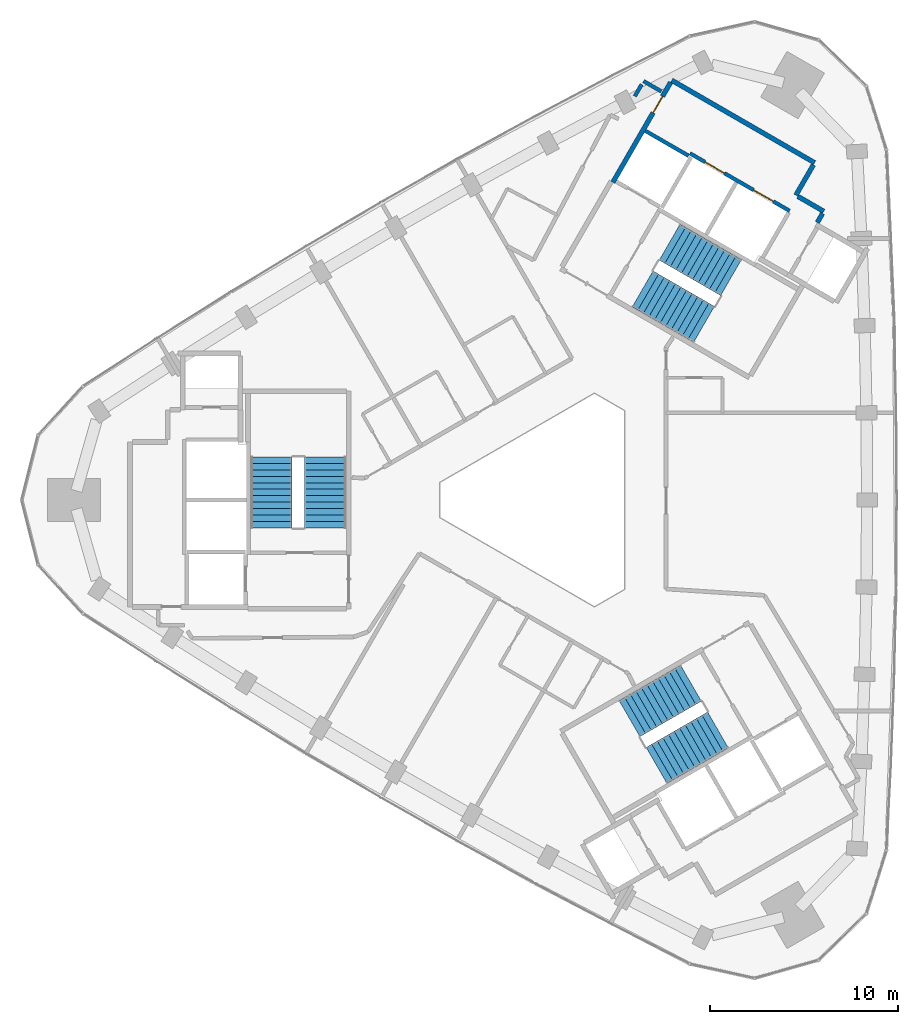
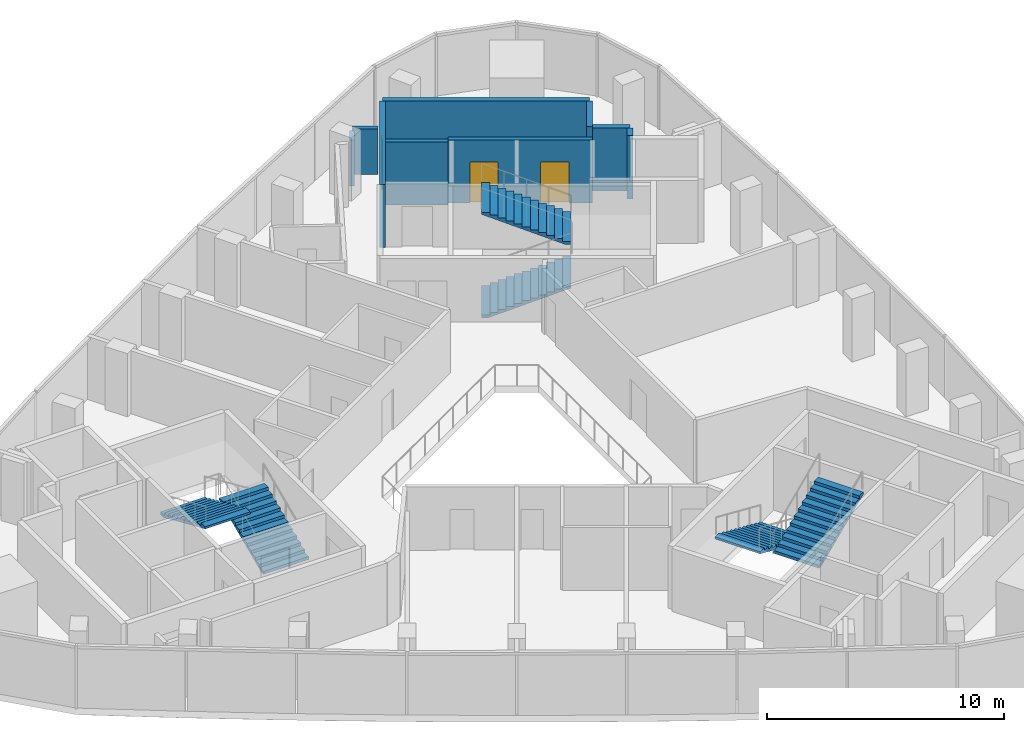
# One storey, part 10 of 11: 9 walls, 6 stair flights, 3 doors, 3 openings, 3 elements without a shape of their own.
"""IFC4 building model written with IfcOpenShell, lengths in metres."""

from ifc_helpers import new_model, si_unit, direction, frame, frame_2d, origin, place, context, subcontext, project, spatial, polyline, rectangle, outline, extrude, material, layer, layer_set, type_object, element, fill, aggregate, save


model = new_model("IFC4")

# Units and contexts
model_context = context("Model", 3, precision=1e-05, world=origin(), true_north=direction((0.0, 1.0)))
body_context = subcontext(model_context, "Body", "Model", "MODEL_VIEW")
ifc_project = project(units=[si_unit("LENGTHUNIT", "METRE"), si_unit("AREAUNIT", "SQUARE_METRE"), si_unit("VOLUMEUNIT", "CUBIC_METRE"), si_unit("PLANEANGLEUNIT", "RADIAN"), si_unit("MASSUNIT", "GRAM", prefix="KILO")], contexts=[model_context])

# Site, building, storey
site_placement = place(None, origin())
site = spatial("IfcSite", under=ifc_project, at=site_placement, CompositionType="ELEMENT")
building_placement = place(site_placement, origin())
building = spatial("IfcBuilding", under=site, at=building_placement, Name="Tamra Quay Hotel Tower", CompositionType="ELEMENT")
storey_placement = place(building_placement, frame((0.0, 0.0, 225.0)))
storey = spatial("IfcBuildingStorey", under=building, at=storey_placement, Name="L56", CompositionType="ELEMENT", Elevation=225.0)

# Wall, openings, doors
ifc_material_1 = material(Name="Concrete M70", Category="concrete")
ifc_layer_1 = layer(ifc_material_1, 0.199951171875)
ifc_layer_set_1 = layer_set([ifc_layer_1], Name="Concrete M70 core wall 200")
wall_type_1 = type_object("IfcWallType", Name="Concrete M70 core wall 200", PredefinedType="SHEAR", material=ifc_layer_set_1)
wall_1_placement = place(storey_placement, frame((12.552490234375, 15.341552734375, 0.0), z_axis=(0.0, 0.0, 1.0), x_axis=(-0.866030299012, 0.499991521122, 0.0)))
wall_1 = element("IfcWall", 1, at=wall_1_placement, inside=storey, type_object=wall_type_1, Name="CW2", PredefinedType="SHEAR", context=body_context, shape_type="SweptSolid", body=[
    extrude(rectangle(XDim=6.10009765625, YDim=0.199951171875, at=frame_2d((3.050048828125, 0.0))), origin(), (0.0, 0.0, 1.0), 3.25),
])
opening_1_placement = place(wall_1_placement, frame((1.0, 0.0, 0.0)))
opening_1 = element("IfcOpeningElement", 2, at=opening_1_placement, cuts=wall_1, Name="Opening LD", PredefinedType="OPENING", context=body_context, shape_type="SweptSolid", body=[
    extrude(rectangle(XDim=1.199951171875, YDim=2.10009765625, at=frame_2d((0.60009765625, 1.050048828125))), frame((0.0, 0.10986328125, 0.0), z_axis=(0.0, -1.0, 0.0), x_axis=(1.0, 0.0, 0.0)), (0.0, 0.0, 1.0), 0.219970703125),
])
opening_2_placement = place(wall_1_placement, frame((3.982177734375, 0.0, 0.0)))
opening_2 = element("IfcOpeningElement", 3, at=opening_2_placement, cuts=wall_1, Name="Opening LD", PredefinedType="OPENING", context=body_context, shape_type="SweptSolid", body=[
    extrude(rectangle(XDim=1.199951171875, YDim=2.10009765625, at=frame_2d((0.60009765625, 1.050048828125))), frame((0.0, 0.10986328125, 0.0), z_axis=(0.0, -1.0, 0.0), x_axis=(1.0, 0.0, 0.0)), (0.0, 0.0, 1.0), 0.219970703125),
])
ifc_material_2 = material(Name="Landing door LD 1200 double door sliding")
door_type_1 = type_object("IfcDoorType", Name="Landing door LD 1200 double door sliding", OperationType="DOUBLE_DOOR_SLIDING", PredefinedType="DOOR", material=ifc_material_2)
door_1_placement = place(opening_1_placement, origin())
door_1 = element("IfcDoor", 4, at=door_1_placement, inside=storey, type_object=door_type_1, Name="LD", OperationType="DOUBLE_DOOR_SLIDING", OverallHeight=2.10009765625, OverallWidth=1.199951171875, PredefinedType="DOOR", context=body_context, shape_type="SweptSolid", body=[
    extrude(rectangle(XDim=1.199951171875, YDim=2.10009765625, at=frame_2d((0.60009765625, 1.050048828125))), frame((0.0, 0.02490234375, 0.0), z_axis=(0.0, -1.0, 0.0), x_axis=(1.0, 0.0, 0.0)), (0.0, 0.0, 1.0), 0.050048828125),
])
fill(opening_1, door_1)
door_2_placement = place(opening_2_placement, origin())
door_2 = element("IfcDoor", 5, at=door_2_placement, inside=storey, type_object=door_type_1, Name="LD", OperationType="DOUBLE_DOOR_SLIDING", OverallHeight=2.10009765625, OverallWidth=1.199951171875, PredefinedType="DOOR", context=body_context, shape_type="SweptSolid", body=[
    extrude(rectangle(XDim=1.199951171875, YDim=2.10009765625, at=frame_2d((0.60009765625, 1.050048828125))), frame((0.0, 0.02490234375, 0.0), z_axis=(0.0, -1.0, 0.0), x_axis=(1.0, 0.0, 0.0)), (0.0, 0.0, 1.0), 0.050048828125),
])
fill(opening_2, door_2)

# Walls
wall_2_placement = place(storey_placement, frame((7.1962890625, 18.260498046875, 0.0), z_axis=(0.0, 0.0, 1.0), x_axis=(-0.866018407898, 0.500012117035, 0.0)))
element("IfcWall", 6, at=wall_2_placement, inside=storey, type_object=wall_type_1, Name="CW2", PredefinedType="SHEAR", context=body_context, shape_type="SweptSolid", body=[
    extrude(rectangle(XDim=2.65087890625, YDim=0.199951171875, at=frame_2d((1.325439453125, 0.0))), origin(), (0.0, 0.0, 1.0), 3.25),
])
ifc_layer_2 = layer(ifc_material_1, 0.25)
ifc_layer_set_2 = layer_set([ifc_layer_2], Name="Concrete M70 core wall 250")
wall_type_2 = type_object("IfcWallType", Name="Concrete M70 core wall 250", PredefinedType="SHEAR", material=ifc_layer_set_2)
wall_3_placement = place(storey_placement, frame((6.303955078125, 22.268798828125, 0.0), z_axis=(0.0, 0.0, 1.0), x_axis=(0.866022959057, -0.500004234368, 0.0)))
element("IfcWall", 7, at=wall_3_placement, inside=storey, type_object=wall_type_2, Name="CW1", PredefinedType="SHEAR", context=body_context, shape_type="SweptSolid", body=[
    extrude(rectangle(XDim=8.75, YDim=0.25, at=frame_2d((4.375, 0.0))), origin(), (0.0, 0.0, 1.0), 3.25),
])

# Wall, opening, door
wall_4_placement = place(storey_placement, frame((3.178955078125, 16.856201171875, 0.0), z_axis=(0.0, 0.0, 1.0), x_axis=(0.500001955336, 0.866024274868, 0.0)))
wall_4 = element("IfcWall", 8, at=wall_4_placement, inside=storey, type_object=wall_type_2, Name="CW1", PredefinedType="SHEAR", context=body_context, shape_type="SweptSolid", body=[
    extrude(rectangle(XDim=6.12451171875, YDim=0.25, at=frame_2d((3.062255859375, 0.0))), origin(), (0.0, 0.0, 1.0), 3.25),
])
opening_3_placement = place(wall_4_placement, frame((4.2626953125, 0.0, 0.0)))
opening_3 = element("IfcOpeningElement", 9, at=opening_3_placement, cuts=wall_4, Name="Opening FD3", PredefinedType="OPENING", context=body_context, shape_type="SweptSolid", body=[
    extrude(rectangle(XDim=1.0, YDim=2.10009765625, at=frame_2d((0.5, 1.050048828125))), frame((0.0, 0.135009765625, 0.0), z_axis=(0.0, -1.0, 0.0), x_axis=(1.0, 0.0, 0.0)), (0.0, 0.0, 1.0), 0.27001953125),
])
ifc_material_3 = material(Name="Core door FD3 1000x2100 LH")
door_type_2 = type_object("IfcDoorType", Name="Core door FD3 1000x2100 LH", OperationType="NOTDEFINED", PredefinedType="DOOR", material=ifc_material_3)
door_3_placement = place(opening_3_placement, origin())
door_3 = element("IfcDoor", 10, at=door_3_placement, inside=storey, type_object=door_type_2, Name="FD3", OperationType="SINGLE_SWING_LEFT", OverallHeight=2.10009765625, OverallWidth=1.0, PredefinedType="DOOR", context=body_context, shape_type="SweptSolid", body=[
    extrude(rectangle(XDim=1.0, YDim=2.10009765625, at=frame_2d((0.5, 1.050048828125))), frame((0.0, 0.02490234375, 0.0), z_axis=(0.0, -1.0, 0.0), x_axis=(1.0, 0.0, 0.0)), (0.0, 0.0, 1.0), 0.050048828125),
])
fill(opening_3, door_3)

# Walls
wall_5_placement = place(storey_placement, frame((13.819091796875, 17.78515625, 0.0), z_axis=(0.0, 0.0, 1.0), x_axis=(-0.500039802285, -0.866002422705, 0.0)))
element("IfcWall", 11, at=wall_5_placement, inside=storey, type_object=wall_type_2, Name="CW1", PredefinedType="SHEAR", context=body_context, shape_type="SweptSolid", body=[
    extrude(rectangle(XDim=1.864501953125, YDim=0.25, at=frame_2d((0.93212890625, 0.0))), origin(), (0.0, 0.0, 1.0), 3.25),
])
wall_6_placement = place(storey_placement, frame((12.995361328125, 16.107666015625, 0.0), z_axis=(0.0, 0.0, 1.0), x_axis=(0.866044474677, -0.49996696679, 0.0)))
element("IfcWall", 12, at=wall_6_placement, inside=storey, type_object=wall_type_2, Name="CW1", PredefinedType="SHEAR", context=body_context, shape_type="SweptSolid", body=[
    extrude(rectangle(XDim=1.58447265625, YDim=0.25, at=frame_2d((0.792236328125, 0.0))), origin(), (0.0, 0.0, 1.0), 3.25),
])
wall_7_placement = place(storey_placement, frame((14.304931640625, 15.206787109375, 0.0), z_axis=(0.0, 0.0, 1.0), x_axis=(-0.499848422343, -0.866112899501, 0.0)))
element("IfcWall", 13, at=wall_7_placement, inside=storey, type_object=wall_type_2, Name="CW1", PredefinedType="SHEAR", context=body_context, shape_type="SweptSolid", body=[
    extrude(rectangle(XDim=0.559326171875, YDim=0.25, at=frame_2d((0.27978515625, 0.0))), origin(), (0.0, 0.0, 1.0), 3.25),
])
ifc_material_4 = material(Name="Partition corridor wall")
ifc_layer_3 = layer(ifc_material_4, 0.199951171875)
ifc_layer_set_3 = layer_set([ifc_layer_3], Name="Partition corridor wall")
wall_type_3 = type_object("IfcWallType", Name="Partition corridor wall", PredefinedType="PARTITIONING", material=ifc_layer_set_3)
wall_8_placement = place(storey_placement, frame((4.342041015625, 21.4208984375, 0.0), z_axis=(0.0, 0.0, 1.0), x_axis=(0.500238258503, 0.865887801468, 0.0)))
element("IfcWall", 14, at=wall_8_placement, inside=storey, type_object=wall_type_3, Name="W-C", PredefinedType="PARTITIONING", context=body_context, shape_type="SweptSolid", body=[
    extrude(rectangle(XDim=0.723876953125, YDim=0.199951171875, at=frame_2d((0.36181640625, 0.0))), origin(), (0.0, 0.0, 1.0), 2.35009765625),
])
wall_9_placement = place(storey_placement, frame((4.805908203125, 22.22412109375, 0.0), z_axis=(0.0, 0.0, 1.0), x_axis=(0.866334698307, -0.499463903109, 0.0)))
element("IfcWall", 15, at=wall_9_placement, inside=storey, type_object=wall_type_3, Name="W-C", PredefinedType="PARTITIONING", context=body_context, shape_type="SweptSolid", body=[
    extrude(rectangle(XDim=1.090087890625, YDim=0.199951171875, at=frame_2d((0.544921875, 0.0))), origin(), (0.0, 0.0, 1.0), 2.35009765625),
])

# Stair, stair flights
ifc_material_5 = material(Name="Exit stair 2200 24 risers 150.0 going 342")
stair_type = type_object("IfcStairType", Name="Exit stair 2200 24 risers 150.0 going 342", PredefinedType="HALF_TURN_STAIR", material=ifc_material_5)
stair_1_placement = place(storey_placement, origin())
stair_1 = element("IfcStair", 16, at=stair_1_placement, inside=storey, type_object=stair_type, Name="L56 Exit stair ST3", PredefinedType="HALF_TURN_STAIR")
ifc_material_6 = material(Name="Exit stair flight 2200 12 risers 150.0")
stair_flight_type = type_object("IfcStairFlightType", Name="Exit stair flight 2200 12 risers 150.0", PredefinedType="STRAIGHT", material=ifc_material_6)
stair_flight_1_placement = place(storey_placement, frame((-12.082275390625, -1.47998046875, 0.0), z_axis=(0.0, 0.0, 1.0), x_axis=(0.0, 1.0, 0.0)))
stair_flight_1 = element("IfcStairFlight", 17, at=stair_flight_1_placement, type_object=stair_flight_type, Name="ST3 flight 1", NumberOfRisers=12, NumberOfTreads=11, PredefinedType="STRAIGHT", RiserHeight=0.15, TreadLength=0.342, context=body_context, shape_type="SweptSolid", body=[
    extrude(outline(polyline([(0.0, 0.0), (0.0, 0.14990234375), (0.342041015625, 0.14990234375), (0.342041015625, 0.300048828125), (0.68408203125, 0.300048828125), (0.68408203125, 0.449951171875), (1.02587890625, 0.449951171875), (1.02587890625, 0.60009765625), (1.367919921875, 0.60009765625), (1.367919921875, 0.75), (1.7099609375, 0.75), (1.7099609375, 0.89990234375), (2.052001953125, 0.89990234375), (2.052001953125, 1.050048828125), (2.39404296875, 1.050048828125), (2.39404296875, 1.199951171875), (2.736083984375, 1.199951171875), (2.736083984375, 1.35009765625), (3.077880859375, 1.35009765625), (3.077880859375, 1.5), (3.419921875, 1.5), (3.419921875, 1.64990234375), (3.761962890625, 1.64990234375), (3.761962890625, 1.800048828125), (3.761962890625, 1.540771484375), (0.249267578125, 0.0), (0.0, 0.0)])), frame((0.0, 1.10009765625, 0.0), z_axis=(0.0, -1.0, 0.0), x_axis=(1.0, 0.0, 0.0)), (0.0, 0.0, 1.0), 2.199951171875),
])
stair_flight_2_placement = place(storey_placement, frame((-14.94140625, 2.281982421875, 1.800048828125), z_axis=(0.0, 0.0, 1.0), x_axis=(0.0, -1.0, 0.0)))
stair_flight_2 = element("IfcStairFlight", 18, at=stair_flight_2_placement, type_object=stair_flight_type, Name="ST3 flight 2", NumberOfRisers=12, NumberOfTreads=11, PredefinedType="STRAIGHT", RiserHeight=0.15, TreadLength=0.342, context=body_context, shape_type="SweptSolid", body=[
    extrude(outline(polyline([(0.0, 0.0), (0.0, 0.14990234375), (0.342041015625, 0.14990234375), (0.342041015625, 0.300048828125), (0.68408203125, 0.300048828125), (0.68408203125, 0.449951171875), (1.02587890625, 0.449951171875), (1.02587890625, 0.60009765625), (1.367919921875, 0.60009765625), (1.367919921875, 0.75), (1.7099609375, 0.75), (1.7099609375, 0.89990234375), (2.052001953125, 0.89990234375), (2.052001953125, 1.050048828125), (2.39404296875, 1.050048828125), (2.39404296875, 1.199951171875), (2.736083984375, 1.199951171875), (2.736083984375, 1.35009765625), (3.077880859375, 1.35009765625), (3.077880859375, 1.5), (3.419921875, 1.5), (3.419921875, 1.64990234375), (3.761962890625, 1.64990234375), (3.761962890625, 1.800048828125), (3.761962890625, 1.540771484375), (0.249267578125, 0.0), (0.0, 0.0)])), frame((0.0, 1.10009765625, 0.0), z_axis=(0.0, -1.0, 0.0), x_axis=(1.0, 0.0, 0.0)), (0.0, 0.0, 1.0), 2.199951171875),
])
aggregate(stair_1, [stair_flight_1, stair_flight_2])

stair_2_placement = place(storey_placement, origin())
stair_2 = element("IfcStair", 19, at=stair_2_placement, inside=storey, type_object=stair_type, Name="L56 Exit stair ST1", PredefinedType="HALF_TURN_STAIR")
stair_flight_3_placement = place(storey_placement, frame((4.75927734375, 11.20361328125, 0.0), z_axis=(0.0, 0.0, 1.0), x_axis=(0.866025403784, -0.5, 0.0)))
stair_flight_3 = element("IfcStairFlight", 20, at=stair_flight_3_placement, type_object=stair_flight_type, Name="ST1 flight 1", NumberOfRisers=12, NumberOfTreads=11, PredefinedType="STRAIGHT", RiserHeight=0.15, TreadLength=0.342, context=body_context, shape_type="SweptSolid", body=[
    extrude(outline(polyline([(0.0, 0.0), (0.0, 0.14990234375), (0.342041015625, 0.14990234375), (0.342041015625, 0.300048828125), (0.68408203125, 0.300048828125), (0.68408203125, 0.449951171875), (1.02587890625, 0.449951171875), (1.02587890625, 0.60009765625), (1.367919921875, 0.60009765625), (1.367919921875, 0.75), (1.7099609375, 0.75), (1.7099609375, 0.89990234375), (2.052001953125, 0.89990234375), (2.052001953125, 1.050048828125), (2.39404296875, 1.050048828125), (2.39404296875, 1.199951171875), (2.736083984375, 1.199951171875), (2.736083984375, 1.35009765625), (3.077880859375, 1.35009765625), (3.077880859375, 1.5), (3.419921875, 1.5), (3.419921875, 1.64990234375), (3.761962890625, 1.64990234375), (3.761962890625, 1.800048828125), (3.761962890625, 1.540771484375), (0.249267578125, 0.0), (0.0, 0.0)])), frame((0.0, 1.10009765625, 0.0), z_axis=(0.0, -1.0, 0.0), x_axis=(1.0, 0.0, 0.0)), (0.0, 0.0, 1.0), 2.199951171875),
])
stair_flight_4_placement = place(storey_placement, frame((9.44677734375, 11.798583984375, 1.800048828125), z_axis=(0.0, 0.0, 1.0), x_axis=(-0.866025403784, 0.5, 0.0)))
stair_flight_4 = element("IfcStairFlight", 21, at=stair_flight_4_placement, type_object=stair_flight_type, Name="ST1 flight 2", NumberOfRisers=12, NumberOfTreads=11, PredefinedType="STRAIGHT", RiserHeight=0.15, TreadLength=0.342, context=body_context, shape_type="SweptSolid", body=[
    extrude(outline(polyline([(0.0, 0.0), (0.0, 0.14990234375), (0.342041015625, 0.14990234375), (0.342041015625, 0.300048828125), (0.68408203125, 0.300048828125), (0.68408203125, 0.449951171875), (1.02587890625, 0.449951171875), (1.02587890625, 0.60009765625), (1.367919921875, 0.60009765625), (1.367919921875, 0.75), (1.7099609375, 0.75), (1.7099609375, 0.89990234375), (2.052001953125, 0.89990234375), (2.052001953125, 1.050048828125), (2.39404296875, 1.050048828125), (2.39404296875, 1.199951171875), (2.736083984375, 1.199951171875), (2.736083984375, 1.35009765625), (3.077880859375, 1.35009765625), (3.077880859375, 1.5), (3.419921875, 1.5), (3.419921875, 1.64990234375), (3.761962890625, 1.64990234375), (3.761962890625, 1.800048828125), (3.761962890625, 1.540771484375), (0.249267578125, 0.0), (0.0, 0.0)])), frame((0.0, 1.10009765625, 0.0), z_axis=(0.0, -1.0, 0.0), x_axis=(1.0, 0.0, 0.0)), (0.0, 0.0, 1.0), 2.199951171875),
])
aggregate(stair_2, [stair_flight_3, stair_flight_4])

stair_3_placement = place(storey_placement, origin())
stair_3 = element("IfcStair", 22, at=stair_3_placement, inside=storey, type_object=stair_type, Name="L56 Exit stair ST2", PredefinedType="HALF_TURN_STAIR")
stair_flight_5_placement = place(storey_placement, frame((7.322998046875, -9.7236328125, 0.0), z_axis=(0.0, 0.0, 1.0), x_axis=(-0.866025403784, -0.5, 0.0)))
stair_flight_5 = element("IfcStairFlight", 23, at=stair_flight_5_placement, type_object=stair_flight_type, Name="ST2 flight 1", NumberOfRisers=12, NumberOfTreads=11, PredefinedType="STRAIGHT", RiserHeight=0.15, TreadLength=0.342, context=body_context, shape_type="SweptSolid", body=[
    extrude(outline(polyline([(0.0, 0.0), (0.0, 0.14990234375), (0.342041015625, 0.14990234375), (0.342041015625, 0.300048828125), (0.68408203125, 0.300048828125), (0.68408203125, 0.449951171875), (1.02587890625, 0.449951171875), (1.02587890625, 0.60009765625), (1.367919921875, 0.60009765625), (1.367919921875, 0.75), (1.7099609375, 0.75), (1.7099609375, 0.89990234375), (2.052001953125, 0.89990234375), (2.052001953125, 1.050048828125), (2.39404296875, 1.050048828125), (2.39404296875, 1.199951171875), (2.736083984375, 1.199951171875), (2.736083984375, 1.35009765625), (3.077880859375, 1.35009765625), (3.077880859375, 1.5), (3.419921875, 1.5), (3.419921875, 1.64990234375), (3.761962890625, 1.64990234375), (3.761962890625, 1.800048828125), (3.761962890625, 1.540771484375), (0.249267578125, 0.0), (0.0, 0.0)])), frame((0.0, 1.10009765625, 0.0), z_axis=(0.0, -1.0, 0.0), x_axis=(1.0, 0.0, 0.0)), (0.0, 0.0, 1.0), 2.199951171875),
])
stair_flight_6_placement = place(storey_placement, frame((5.494384765625, -14.08056640625, 1.800048828125), z_axis=(0.0, 0.0, 1.0), x_axis=(0.866025403784, 0.5, 0.0)))
stair_flight_6 = element("IfcStairFlight", 24, at=stair_flight_6_placement, type_object=stair_flight_type, Name="ST2 flight 2", NumberOfRisers=12, NumberOfTreads=11, PredefinedType="STRAIGHT", RiserHeight=0.15, TreadLength=0.342, context=body_context, shape_type="SweptSolid", body=[
    extrude(outline(polyline([(0.0, 0.0), (0.0, 0.14990234375), (0.342041015625, 0.14990234375), (0.342041015625, 0.300048828125), (0.68408203125, 0.300048828125), (0.68408203125, 0.449951171875), (1.02587890625, 0.449951171875), (1.02587890625, 0.60009765625), (1.367919921875, 0.60009765625), (1.367919921875, 0.75), (1.7099609375, 0.75), (1.7099609375, 0.89990234375), (2.052001953125, 0.89990234375), (2.052001953125, 1.050048828125), (2.39404296875, 1.050048828125), (2.39404296875, 1.199951171875), (2.736083984375, 1.199951171875), (2.736083984375, 1.35009765625), (3.077880859375, 1.35009765625), (3.077880859375, 1.5), (3.419921875, 1.5), (3.419921875, 1.64990234375), (3.761962890625, 1.64990234375), (3.761962890625, 1.800048828125), (3.761962890625, 1.540771484375), (0.249267578125, 0.0), (0.0, 0.0)])), frame((0.0, 1.10009765625, 0.0), z_axis=(0.0, -1.0, 0.0), x_axis=(1.0, 0.0, 0.0)), (0.0, 0.0, 1.0), 2.199951171875),
])
aggregate(stair_3, [stair_flight_5, stair_flight_6])

save(model, "model.ifc")
